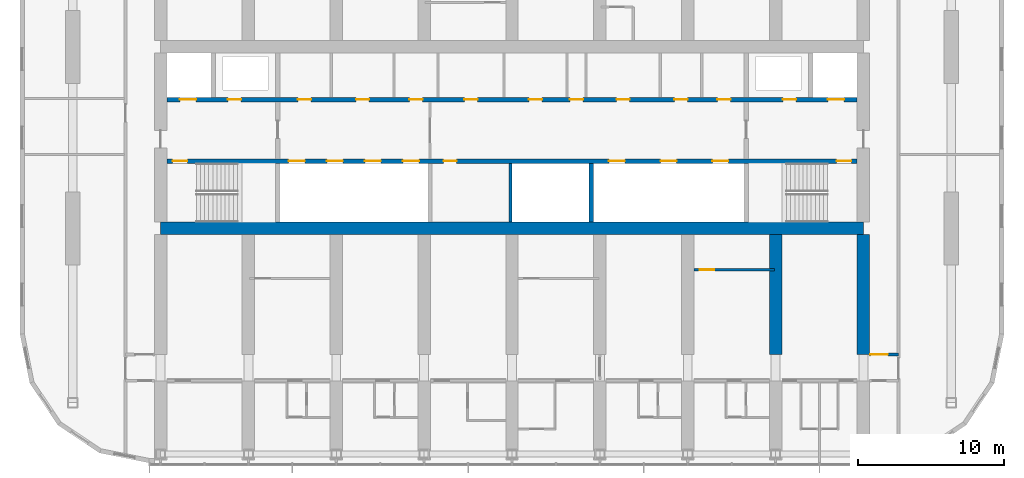
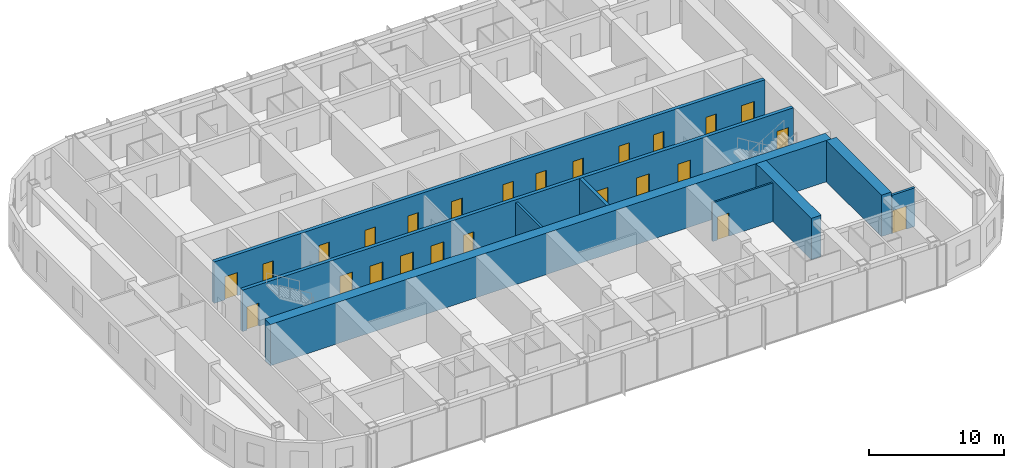
# One storey, part 13 of 22: 25 doors, 9 walls, 25 openings.
"""IFC4 building model written with IfcOpenShell, lengths in metres."""

from ifc_helpers import new_model, si_unit, direction, frame, frame_2d, origin, place, context, subcontext, project, spatial, rectangle, extrude, material, layer, layer_set, type_object, element, fill, save


model = new_model("IFC4")

# Units and contexts
model_context = context("Model", 3, precision=1e-05, world=origin(), true_north=direction((0.0, 1.0)))
body_context = subcontext(model_context, "Body", "Model", "MODEL_VIEW")
ifc_project = project(units=[si_unit("LENGTHUNIT", "METRE"), si_unit("AREAUNIT", "SQUARE_METRE"), si_unit("VOLUMEUNIT", "CUBIC_METRE"), si_unit("PLANEANGLEUNIT", "RADIAN"), si_unit("MASSUNIT", "GRAM", prefix="KILO")], contexts=[model_context])

# Site, building, storey
site_placement = place(None, origin())
site = spatial("IfcSite", under=ifc_project, at=site_placement, CompositionType="ELEMENT")
building_placement = place(site_placement, origin())
building = spatial("IfcBuilding", under=site, at=building_placement, Name="Orbita Commons", CompositionType="ELEMENT")
storey_placement = place(building_placement, frame((0.0, 0.0, 186.10009765625)))
storey = spatial("IfcBuildingStorey", under=building, at=storey_placement, Name="L46", CompositionType="ELEMENT", Elevation=186.10009765625)

# Wall, openings, doors
ifc_material_1 = material(Name="Concrete C50/60", Category="concrete")
ifc_layer_1 = layer(ifc_material_1, 0.300048828125)
ifc_layer_set_1 = layer_set([ifc_layer_1], Name="Concrete C50/60")
wall_type_1 = type_object("IfcWallType", Name="Core inner wall 300 C50/60", PredefinedType="SHEAR", material=ifc_layer_set_1)
wall_1_placement = place(storey_placement, frame((18.425048828125, 30.39990234375, 0.0), z_axis=(0.0, 0.0, 1.0), x_axis=(1.0, 0.0, 0.0)))
wall_1 = element("IfcWall", 1, at=wall_1_placement, inside=storey, type_object=wall_type_1, Name="Lobby wall south L46", PredefinedType="SHEAR", context=body_context, shape_type="SweptSolid", body=[
    extrude(rectangle(XDim=47.14990234375, YDim=0.300048828125, at=frame_2d((23.574951171875, 0.0))), origin(), (0.0, 0.0, 1.0), 3.75),
])
opening_1_placement = place(wall_1_placement, frame((0.39990234375, 0.0, 0.0)))
opening_1 = element("IfcOpeningElement", 2, at=opening_1_placement, cuts=wall_1, Name="Opening D02", PredefinedType="OPENING", context=body_context, shape_type="SweptSolid", body=[
    extrude(rectangle(XDim=1.0, YDim=2.10009765625, at=frame_2d((0.5, 1.050048828125))), frame((0.0, 0.159912109375, 0.0), z_axis=(0.0, -1.0, 0.0), x_axis=(1.0, 0.0, 0.0)), (0.0, 0.0, 1.0), 0.320068359375),
])
opening_2_placement = place(wall_1_placement, frame((45.75, 0.0, 0.0)))
opening_2 = element("IfcOpeningElement", 3, at=opening_2_placement, cuts=wall_1, Name="Opening D02", PredefinedType="OPENING", context=body_context, shape_type="SweptSolid", body=[
    extrude(rectangle(XDim=1.0, YDim=2.10009765625, at=frame_2d((0.5, 1.050048828125))), frame((0.0, 0.159912109375, 0.0), z_axis=(0.0, -1.0, 0.0), x_axis=(1.0, 0.0, 0.0)), (0.0, 0.0, 1.0), 0.320068359375),
])
opening_3_placement = place(wall_1_placement, frame((8.324951171875, 0.0, 0.0)))
opening_3 = element("IfcOpeningElement", 4, at=opening_3_placement, cuts=wall_1, Name="Opening LD02", PredefinedType="OPENING", context=body_context, shape_type="SweptSolid", body=[
    extrude(rectangle(XDim=1.10009765625, YDim=2.10009765625, at=frame_2d((0.550048828125, 1.050048828125))), frame((0.0, 0.159912109375, 0.0), z_axis=(0.0, -1.0, 0.0), x_axis=(1.0, 0.0, 0.0)), (0.0, 0.0, 1.0), 0.320068359375),
])
opening_4_placement = place(wall_1_placement, frame((10.925048828125, 0.0, 0.0)))
opening_4 = element("IfcOpeningElement", 5, at=opening_4_placement, cuts=wall_1, Name="Opening LD02", PredefinedType="OPENING", context=body_context, shape_type="SweptSolid", body=[
    extrude(rectangle(XDim=1.10009765625, YDim=2.10009765625, at=frame_2d((0.550048828125, 1.050048828125))), frame((0.0, 0.159912109375, 0.0), z_axis=(0.0, -1.0, 0.0), x_axis=(1.0, 0.0, 0.0)), (0.0, 0.0, 1.0), 0.320068359375),
])
opening_5_placement = place(wall_1_placement, frame((13.52490234375, 0.0, 0.0)))
opening_5 = element("IfcOpeningElement", 6, at=opening_5_placement, cuts=wall_1, Name="Opening LD02", PredefinedType="OPENING", context=body_context, shape_type="SweptSolid", body=[
    extrude(rectangle(XDim=1.10009765625, YDim=2.10009765625, at=frame_2d((0.550048828125, 1.050048828125))), frame((0.0, 0.159912109375, 0.0), z_axis=(0.0, -1.0, 0.0), x_axis=(1.0, 0.0, 0.0)), (0.0, 0.0, 1.0), 0.320068359375),
])
opening_6_placement = place(wall_1_placement, frame((16.125, 0.0, 0.0)))
opening_6 = element("IfcOpeningElement", 7, at=opening_6_placement, cuts=wall_1, Name="Opening LD02", PredefinedType="OPENING", context=body_context, shape_type="SweptSolid", body=[
    extrude(rectangle(XDim=1.10009765625, YDim=2.10009765625, at=frame_2d((0.550048828125, 1.050048828125))), frame((0.0, 0.159912109375, 0.0), z_axis=(0.0, -1.0, 0.0), x_axis=(1.0, 0.0, 0.0)), (0.0, 0.0, 1.0), 0.320068359375),
])
opening_7_placement = place(wall_1_placement, frame((18.89990234375, 0.0, 0.0)))
opening_7 = element("IfcOpeningElement", 8, at=opening_7_placement, cuts=wall_1, Name="Opening D05", PredefinedType="OPENING", context=body_context, shape_type="SweptSolid", body=[
    extrude(rectangle(XDim=0.89990234375, YDim=2.10009765625, at=frame_2d((0.449951171875, 1.050048828125))), frame((0.0, 0.159912109375, 0.0), z_axis=(0.0, -1.0, 0.0), x_axis=(1.0, 0.0, 0.0)), (0.0, 0.0, 1.0), 0.320068359375),
])
opening_8_placement = place(wall_1_placement, frame((30.191650390625, 0.0, 0.0)))
opening_8 = element("IfcOpeningElement", 9, at=opening_8_placement, cuts=wall_1, Name="Opening LD02", PredefinedType="OPENING", context=body_context, shape_type="SweptSolid", body=[
    extrude(rectangle(XDim=1.10009765625, YDim=2.10009765625, at=frame_2d((0.550048828125, 1.050048828125))), frame((0.0, 0.159912109375, 0.0), z_axis=(0.0, -1.0, 0.0), x_axis=(1.0, 0.0, 0.0)), (0.0, 0.0, 1.0), 0.320068359375),
])
opening_9_placement = place(wall_1_placement, frame((33.72509765625, 0.0, 0.0)))
opening_9 = element("IfcOpeningElement", 10, at=opening_9_placement, cuts=wall_1, Name="Opening LD02", PredefinedType="OPENING", context=body_context, shape_type="SweptSolid", body=[
    extrude(rectangle(XDim=1.10009765625, YDim=2.10009765625, at=frame_2d((0.550048828125, 1.050048828125))), frame((0.0, 0.159912109375, 0.0), z_axis=(0.0, -1.0, 0.0), x_axis=(1.0, 0.0, 0.0)), (0.0, 0.0, 1.0), 0.320068359375),
])
opening_10_placement = place(wall_1_placement, frame((37.25830078125, 0.0, 0.0)))
opening_10 = element("IfcOpeningElement", 11, at=opening_10_placement, cuts=wall_1, Name="Opening LD02", PredefinedType="OPENING", context=body_context, shape_type="SweptSolid", body=[
    extrude(rectangle(XDim=1.10009765625, YDim=2.10009765625, at=frame_2d((0.550048828125, 1.050048828125))), frame((0.0, 0.159912109375, 0.0), z_axis=(0.0, -1.0, 0.0), x_axis=(1.0, 0.0, 0.0)), (0.0, 0.0, 1.0), 0.320068359375),
])
ifc_material_2 = material(Name="Steel-faced fire door leaf", Category="steel")
door_type_1 = type_object("IfcDoorType", Name="Fire door 90 min 1000x2100", OperationType="SINGLE_SWING_LEFT", PredefinedType="DOOR", material=ifc_material_2)
door_1_placement = place(opening_1_placement, origin())
door_1 = element("IfcDoor", 12, at=door_1_placement, inside=storey, type_object=door_type_1, Name="Stair S1 door", OperationType="SINGLE_SWING_LEFT", OverallHeight=2.10009765625, OverallWidth=1.0, PredefinedType="DOOR", context=body_context, shape_type="SweptSolid", body=[
    extrude(rectangle(XDim=1.0, YDim=2.10009765625, at=frame_2d((0.5, 1.050048828125))), frame((0.0, 0.02490234375, 0.0), z_axis=(0.0, -1.0, 0.0), x_axis=(1.0, 0.0, 0.0)), (0.0, 0.0, 1.0), 0.050048828125),
])
fill(opening_1, door_1)
door_2_placement = place(opening_2_placement, origin())
door_2 = element("IfcDoor", 13, at=door_2_placement, inside=storey, type_object=door_type_1, Name="Stair S2 door", OperationType="SINGLE_SWING_LEFT", OverallHeight=2.10009765625, OverallWidth=1.0, PredefinedType="DOOR", context=body_context, shape_type="SweptSolid", body=[
    extrude(rectangle(XDim=1.0, YDim=2.10009765625, at=frame_2d((0.5, 1.050048828125))), frame((0.0, 0.02490234375, 0.0), z_axis=(0.0, -1.0, 0.0), x_axis=(1.0, 0.0, 0.0)), (0.0, 0.0, 1.0), 0.050048828125),
])
fill(opening_2, door_2)
ifc_material_3 = material(Name="Steel-faced fire door leaf", Category="steel")
door_type_2 = type_object("IfcDoorType", Name="Lift landing door 1100x2100", OperationType="DOUBLE_DOOR_SLIDING", PredefinedType="DOOR", material=ifc_material_3)
door_3_placement = place(opening_3_placement, origin())
door_3 = element("IfcDoor", 14, at=door_3_placement, inside=storey, type_object=door_type_2, Name="Lift P31 landing door", OperationType="DOUBLE_DOOR_SLIDING", OverallHeight=2.10009765625, OverallWidth=1.10009765625, PredefinedType="DOOR", context=body_context, shape_type="SweptSolid", body=[
    extrude(rectangle(XDim=1.10009765625, YDim=2.10009765625, at=frame_2d((0.550048828125, 1.050048828125))), frame((0.0, 0.02490234375, 0.0), z_axis=(0.0, -1.0, 0.0), x_axis=(1.0, 0.0, 0.0)), (0.0, 0.0, 1.0), 0.050048828125),
])
fill(opening_3, door_3)
door_4_placement = place(opening_4_placement, origin())
door_4 = element("IfcDoor", 15, at=door_4_placement, inside=storey, type_object=door_type_2, Name="Lift P32 landing door", OperationType="DOUBLE_DOOR_SLIDING", OverallHeight=2.10009765625, OverallWidth=1.10009765625, PredefinedType="DOOR", context=body_context, shape_type="SweptSolid", body=[
    extrude(rectangle(XDim=1.10009765625, YDim=2.10009765625, at=frame_2d((0.550048828125, 1.050048828125))), frame((0.0, 0.02490234375, 0.0), z_axis=(0.0, -1.0, 0.0), x_axis=(1.0, 0.0, 0.0)), (0.0, 0.0, 1.0), 0.050048828125),
])
fill(opening_4, door_4)
door_5_placement = place(opening_5_placement, origin())
door_5 = element("IfcDoor", 16, at=door_5_placement, inside=storey, type_object=door_type_2, Name="Lift P33 landing door", OperationType="DOUBLE_DOOR_SLIDING", OverallHeight=2.10009765625, OverallWidth=1.10009765625, PredefinedType="DOOR", context=body_context, shape_type="SweptSolid", body=[
    extrude(rectangle(XDim=1.10009765625, YDim=2.10009765625, at=frame_2d((0.550048828125, 1.050048828125))), frame((0.0, 0.02490234375, 0.0), z_axis=(0.0, -1.0, 0.0), x_axis=(1.0, 0.0, 0.0)), (0.0, 0.0, 1.0), 0.050048828125),
])
fill(opening_5, door_5)
door_6_placement = place(opening_6_placement, origin())
door_6 = element("IfcDoor", 17, at=door_6_placement, inside=storey, type_object=door_type_2, Name="Lift P34 landing door", OperationType="DOUBLE_DOOR_SLIDING", OverallHeight=2.10009765625, OverallWidth=1.10009765625, PredefinedType="DOOR", context=body_context, shape_type="SweptSolid", body=[
    extrude(rectangle(XDim=1.10009765625, YDim=2.10009765625, at=frame_2d((0.550048828125, 1.050048828125))), frame((0.0, 0.02490234375, 0.0), z_axis=(0.0, -1.0, 0.0), x_axis=(1.0, 0.0, 0.0)), (0.0, 0.0, 1.0), 0.050048828125),
])
fill(opening_6, door_6)
door_7_placement = place(opening_8_placement, origin())
door_7 = element("IfcDoor", 18, at=door_7_placement, inside=storey, type_object=door_type_2, Name="Lift SV1 landing door", OperationType="DOUBLE_DOOR_SLIDING", OverallHeight=2.10009765625, OverallWidth=1.10009765625, PredefinedType="DOOR", context=body_context, shape_type="SweptSolid", body=[
    extrude(rectangle(XDim=1.10009765625, YDim=2.10009765625, at=frame_2d((0.550048828125, 1.050048828125))), frame((0.0, 0.02490234375, 0.0), z_axis=(0.0, -1.0, 0.0), x_axis=(1.0, 0.0, 0.0)), (0.0, 0.0, 1.0), 0.050048828125),
])
fill(opening_8, door_7)
door_8_placement = place(opening_9_placement, origin())
door_8 = element("IfcDoor", 19, at=door_8_placement, inside=storey, type_object=door_type_2, Name="Lift SV2 landing door", OperationType="DOUBLE_DOOR_SLIDING", OverallHeight=2.10009765625, OverallWidth=1.10009765625, PredefinedType="DOOR", context=body_context, shape_type="SweptSolid", body=[
    extrude(rectangle(XDim=1.10009765625, YDim=2.10009765625, at=frame_2d((0.550048828125, 1.050048828125))), frame((0.0, 0.02490234375, 0.0), z_axis=(0.0, -1.0, 0.0), x_axis=(1.0, 0.0, 0.0)), (0.0, 0.0, 1.0), 0.050048828125),
])
fill(opening_9, door_8)
door_9_placement = place(opening_10_placement, origin())
door_9 = element("IfcDoor", 20, at=door_9_placement, inside=storey, type_object=door_type_2, Name="Lift SV3 landing door", OperationType="DOUBLE_DOOR_SLIDING", OverallHeight=2.10009765625, OverallWidth=1.10009765625, PredefinedType="DOOR", context=body_context, shape_type="SweptSolid", body=[
    extrude(rectangle(XDim=1.10009765625, YDim=2.10009765625, at=frame_2d((0.550048828125, 1.050048828125))), frame((0.0, 0.02490234375, 0.0), z_axis=(0.0, -1.0, 0.0), x_axis=(1.0, 0.0, 0.0)), (0.0, 0.0, 1.0), 0.050048828125),
])
fill(opening_10, door_9)
ifc_material_4 = material(Name="Steel-faced fire door leaf", Category="steel")
door_type_3 = type_object("IfcDoorType", Name="Service door 20 min 900x2100", OperationType="SINGLE_SWING_LEFT", PredefinedType="DOOR", material=ifc_material_4)
door_10_placement = place(opening_7_placement, origin())
door_10 = element("IfcDoor", 21, at=door_10_placement, inside=storey, type_object=door_type_3, Name="Residents' store door", OperationType="SINGLE_SWING_LEFT", OverallHeight=2.10009765625, OverallWidth=0.89990234375, PredefinedType="DOOR", context=body_context, shape_type="SweptSolid", body=[
    extrude(rectangle(XDim=0.89990234375, YDim=2.10009765625, at=frame_2d((0.449951171875, 1.050048828125))), frame((0.0, 0.02490234375, 0.0), z_axis=(0.0, -1.0, 0.0), x_axis=(1.0, 0.0, 0.0)), (0.0, 0.0, 1.0), 0.050048828125),
])
fill(opening_7, door_10)

wall_2_placement = place(storey_placement, frame((18.425048828125, 34.60009765625, 0.0), z_axis=(0.0, 0.0, 1.0), x_axis=(1.0, 0.0, 0.0)))
wall_2 = element("IfcWall", 22, at=wall_2_placement, inside=storey, type_object=wall_type_1, Name="Lobby wall north L46", PredefinedType="SHEAR", context=body_context, shape_type="SweptSolid", body=[
    extrude(rectangle(XDim=47.14990234375, YDim=0.300048828125, at=frame_2d((23.574951171875, 0.0))), origin(), (0.0, 0.0, 1.0), 3.75),
])
opening_11_placement = place(wall_2_placement, frame((0.89990234375, 0.0, 0.0)))
opening_11 = element("IfcOpeningElement", 23, at=opening_11_placement, cuts=wall_2, Name="Opening LD01", PredefinedType="OPENING", context=body_context, shape_type="SweptSolid", body=[
    extrude(rectangle(XDim=1.10009765625, YDim=2.10009765625, at=frame_2d((0.550048828125, 1.050048828125))), frame((0.0, 0.159912109375, 0.0), z_axis=(0.0, -1.0, 0.0), x_axis=(1.0, 0.0, 0.0)), (0.0, 0.0, 1.0), 0.320068359375),
])
opening_12_placement = place(wall_2_placement, frame((45.14990234375, 0.0, 0.0)))
opening_12 = element("IfcOpeningElement", 24, at=opening_12_placement, cuts=wall_2, Name="Opening LD01", PredefinedType="OPENING", context=body_context, shape_type="SweptSolid", body=[
    extrude(rectangle(XDim=1.10009765625, YDim=2.10009765625, at=frame_2d((0.550048828125, 1.050048828125))), frame((0.0, 0.159912109375, 0.0), z_axis=(0.0, -1.0, 0.0), x_axis=(1.0, 0.0, 0.0)), (0.0, 0.0, 1.0), 0.320068359375),
])
opening_13_placement = place(wall_2_placement, frame((4.175048828125, 0.0, 0.0)))
opening_13 = element("IfcOpeningElement", 25, at=opening_13_placement, cuts=wall_2, Name="Opening D03", PredefinedType="OPENING", context=body_context, shape_type="SweptSolid", body=[
    extrude(rectangle(XDim=0.89990234375, YDim=2.10009765625, at=frame_2d((0.449951171875, 1.050048828125))), frame((0.0, 0.159912109375, 0.0), z_axis=(0.0, -1.0, 0.0), x_axis=(1.0, 0.0, 0.0)), (0.0, 0.0, 1.0), 0.320068359375),
])
opening_14_placement = place(wall_2_placement, frame((42.074951171875, 0.0, 0.0)))
opening_14 = element("IfcOpeningElement", 26, at=opening_14_placement, cuts=wall_2, Name="Opening D03", PredefinedType="OPENING", context=body_context, shape_type="SweptSolid", body=[
    extrude(rectangle(XDim=0.89990234375, YDim=2.10009765625, at=frame_2d((0.449951171875, 1.050048828125))), frame((0.0, 0.159912109375, 0.0), z_axis=(0.0, -1.0, 0.0), x_axis=(1.0, 0.0, 0.0)), (0.0, 0.0, 1.0), 0.320068359375),
])
opening_15_placement = place(wall_2_placement, frame((8.950439453125, 0.0, 0.0)))
opening_15 = element("IfcOpeningElement", 27, at=opening_15_placement, cuts=wall_2, Name="Opening D05", PredefinedType="OPENING", context=body_context, shape_type="SweptSolid", body=[
    extrude(rectangle(XDim=0.89990234375, YDim=2.10009765625, at=frame_2d((0.449951171875, 1.050048828125))), frame((0.0, 0.159912109375, 0.0), z_axis=(0.0, -1.0, 0.0), x_axis=(1.0, 0.0, 0.0)), (0.0, 0.0, 1.0), 0.320068359375),
])
opening_16_placement = place(wall_2_placement, frame((12.923583984375, 0.0, 0.0)))
opening_16 = element("IfcOpeningElement", 28, at=opening_16_placement, cuts=wall_2, Name="Opening D03", PredefinedType="OPENING", context=body_context, shape_type="SweptSolid", body=[
    extrude(rectangle(XDim=0.89990234375, YDim=2.10009765625, at=frame_2d((0.449951171875, 1.050048828125))), frame((0.0, 0.159912109375, 0.0), z_axis=(0.0, -1.0, 0.0), x_axis=(1.0, 0.0, 0.0)), (0.0, 0.0, 1.0), 0.320068359375),
])
opening_17_placement = place(wall_2_placement, frame((16.5712890625, 0.0, 0.0)))
opening_17 = element("IfcOpeningElement", 29, at=opening_17_placement, cuts=wall_2, Name="Opening D03", PredefinedType="OPENING", context=body_context, shape_type="SweptSolid", body=[
    extrude(rectangle(XDim=0.89990234375, YDim=2.10009765625, at=frame_2d((0.449951171875, 1.050048828125))), frame((0.0, 0.159912109375, 0.0), z_axis=(0.0, -1.0, 0.0), x_axis=(1.0, 0.0, 0.0)), (0.0, 0.0, 1.0), 0.320068359375),
])
opening_18_placement = place(wall_2_placement, frame((20.32958984375, 0.0, 0.0)))
opening_18 = element("IfcOpeningElement", 30, at=opening_18_placement, cuts=wall_2, Name="Opening D03", PredefinedType="OPENING", context=body_context, shape_type="SweptSolid", body=[
    extrude(rectangle(XDim=0.89990234375, YDim=2.10009765625, at=frame_2d((0.449951171875, 1.050048828125))), frame((0.0, 0.159912109375, 0.0), z_axis=(0.0, -1.0, 0.0), x_axis=(1.0, 0.0, 0.0)), (0.0, 0.0, 1.0), 0.320068359375),
])
opening_19_placement = place(wall_2_placement, frame((24.735595703125, 0.0, 0.0)))
opening_19 = element("IfcOpeningElement", 31, at=opening_19_placement, cuts=wall_2, Name="Opening D03", PredefinedType="OPENING", context=body_context, shape_type="SweptSolid", body=[
    extrude(rectangle(XDim=0.89990234375, YDim=2.10009765625, at=frame_2d((0.449951171875, 1.050048828125))), frame((0.0, 0.159912109375, 0.0), z_axis=(0.0, -1.0, 0.0), x_axis=(1.0, 0.0, 0.0)), (0.0, 0.0, 1.0), 0.320068359375),
])
opening_20_placement = place(wall_2_placement, frame((27.533447265625, 0.0, 0.0)))
opening_20 = element("IfcOpeningElement", 32, at=opening_20_placement, cuts=wall_2, Name="Opening D03", PredefinedType="OPENING", context=body_context, shape_type="SweptSolid", body=[
    extrude(rectangle(XDim=0.89990234375, YDim=2.10009765625, at=frame_2d((0.449951171875, 1.050048828125))), frame((0.0, 0.159912109375, 0.0), z_axis=(0.0, -1.0, 0.0), x_axis=(1.0, 0.0, 0.0)), (0.0, 0.0, 1.0), 0.320068359375),
])
opening_21_placement = place(wall_2_placement, frame((30.71630859375, 0.0, 0.0)))
opening_21 = element("IfcOpeningElement", 33, at=opening_21_placement, cuts=wall_2, Name="Opening D05", PredefinedType="OPENING", context=body_context, shape_type="SweptSolid", body=[
    extrude(rectangle(XDim=0.89990234375, YDim=2.10009765625, at=frame_2d((0.449951171875, 1.050048828125))), frame((0.0, 0.159912109375, 0.0), z_axis=(0.0, -1.0, 0.0), x_axis=(1.0, 0.0, 0.0)), (0.0, 0.0, 1.0), 0.320068359375),
])
opening_22_placement = place(wall_2_placement, frame((34.667236328125, 0.0, 0.0)))
opening_22 = element("IfcOpeningElement", 34, at=opening_22_placement, cuts=wall_2, Name="Opening D03", PredefinedType="OPENING", context=body_context, shape_type="SweptSolid", body=[
    extrude(rectangle(XDim=0.89990234375, YDim=2.10009765625, at=frame_2d((0.449951171875, 1.050048828125))), frame((0.0, 0.159912109375, 0.0), z_axis=(0.0, -1.0, 0.0), x_axis=(1.0, 0.0, 0.0)), (0.0, 0.0, 1.0), 0.320068359375),
])
opening_23_placement = place(wall_2_placement, frame((37.605224609375, 0.0, 0.0)))
opening_23 = element("IfcOpeningElement", 35, at=opening_23_placement, cuts=wall_2, Name="Opening D03", PredefinedType="OPENING", context=body_context, shape_type="SweptSolid", body=[
    extrude(rectangle(XDim=0.89990234375, YDim=2.10009765625, at=frame_2d((0.449951171875, 1.050048828125))), frame((0.0, 0.159912109375, 0.0), z_axis=(0.0, -1.0, 0.0), x_axis=(1.0, 0.0, 0.0)), (0.0, 0.0, 1.0), 0.320068359375),
])
ifc_material_5 = material(Name="Steel-faced fire door leaf", Category="steel")
door_type_4 = type_object("IfcDoorType", Name="Firefighting lift landing door 1100x2100", OperationType="DOUBLE_DOOR_SLIDING", PredefinedType="DOOR", material=ifc_material_5)
door_11_placement = place(opening_11_placement, origin())
door_11 = element("IfcDoor", 36, at=door_11_placement, inside=storey, type_object=door_type_4, Name="Firefighting lift FL1 landing door", OperationType="DOUBLE_DOOR_SLIDING", OverallHeight=2.10009765625, OverallWidth=1.10009765625, PredefinedType="DOOR", context=body_context, shape_type="SweptSolid", body=[
    extrude(rectangle(XDim=1.10009765625, YDim=2.10009765625, at=frame_2d((0.550048828125, 1.050048828125))), frame((0.0, 0.02490234375, 0.0), z_axis=(0.0, -1.0, 0.0), x_axis=(1.0, 0.0, 0.0)), (0.0, 0.0, 1.0), 0.050048828125),
])
fill(opening_11, door_11)
door_12_placement = place(opening_12_placement, origin())
door_12 = element("IfcDoor", 37, at=door_12_placement, inside=storey, type_object=door_type_4, Name="Firefighting lift FL2 landing door", OperationType="DOUBLE_DOOR_SLIDING", OverallHeight=2.10009765625, OverallWidth=1.10009765625, PredefinedType="DOOR", context=body_context, shape_type="SweptSolid", body=[
    extrude(rectangle(XDim=1.10009765625, YDim=2.10009765625, at=frame_2d((0.550048828125, 1.050048828125))), frame((0.0, 0.02490234375, 0.0), z_axis=(0.0, -1.0, 0.0), x_axis=(1.0, 0.0, 0.0)), (0.0, 0.0, 1.0), 0.050048828125),
])
fill(opening_12, door_12)
door_13_placement = place(opening_15_placement, origin())
door_13 = element("IfcDoor", 38, at=door_13_placement, inside=storey, type_object=door_type_3, Name="Accessible WC door", OperationType="SINGLE_SWING_LEFT", OverallHeight=2.10009765625, OverallWidth=0.89990234375, PredefinedType="DOOR", context=body_context, shape_type="SweptSolid", body=[
    extrude(rectangle(XDim=0.89990234375, YDim=2.10009765625, at=frame_2d((0.449951171875, 1.050048828125))), frame((0.0, 0.02490234375, 0.0), z_axis=(0.0, -1.0, 0.0), x_axis=(1.0, 0.0, 0.0)), (0.0, 0.0, 1.0), 0.050048828125),
])
fill(opening_15, door_13)
door_14_placement = place(opening_21_placement, origin())
door_14 = element("IfcDoor", 39, at=door_14_placement, inside=storey, type_object=door_type_3, Name="Guest pantry door", OperationType="SINGLE_SWING_LEFT", OverallHeight=2.10009765625, OverallWidth=0.89990234375, PredefinedType="DOOR", context=body_context, shape_type="SweptSolid", body=[
    extrude(rectangle(XDim=0.89990234375, YDim=2.10009765625, at=frame_2d((0.449951171875, 1.050048828125))), frame((0.0, 0.02490234375, 0.0), z_axis=(0.0, -1.0, 0.0), x_axis=(1.0, 0.0, 0.0)), (0.0, 0.0, 1.0), 0.050048828125),
])
fill(opening_21, door_14)
ifc_material_6 = material(Name="Steel-faced fire door leaf", Category="steel")
door_type_5 = type_object("IfcDoorType", Name="Shaft access door 90 min 900x2100", OperationType="SINGLE_SWING_LEFT", PredefinedType="DOOR", material=ifc_material_6)
door_15_placement = place(opening_13_placement, origin())
door_15 = element("IfcDoor", 40, at=door_15_placement, inside=storey, type_object=door_type_5, Name="Riser door west", OperationType="SINGLE_SWING_LEFT", OverallHeight=2.10009765625, OverallWidth=0.89990234375, PredefinedType="DOOR", context=body_context, shape_type="SweptSolid", body=[
    extrude(rectangle(XDim=0.89990234375, YDim=2.10009765625, at=frame_2d((0.449951171875, 1.050048828125))), frame((0.0, 0.02490234375, 0.0), z_axis=(0.0, -1.0, 0.0), x_axis=(1.0, 0.0, 0.0)), (0.0, 0.0, 1.0), 0.050048828125),
])
fill(opening_13, door_15)
door_16_placement = place(opening_14_placement, origin())
door_16 = element("IfcDoor", 41, at=door_16_placement, inside=storey, type_object=door_type_5, Name="Riser door east", OperationType="SINGLE_SWING_LEFT", OverallHeight=2.10009765625, OverallWidth=0.89990234375, PredefinedType="DOOR", context=body_context, shape_type="SweptSolid", body=[
    extrude(rectangle(XDim=0.89990234375, YDim=2.10009765625, at=frame_2d((0.449951171875, 1.050048828125))), frame((0.0, 0.02490234375, 0.0), z_axis=(0.0, -1.0, 0.0), x_axis=(1.0, 0.0, 0.0)), (0.0, 0.0, 1.0), 0.050048828125),
])
fill(opening_14, door_16)
door_17_placement = place(opening_16_placement, origin())
door_17 = element("IfcDoor", 42, at=door_17_placement, inside=storey, type_object=door_type_5, Name="Refuse chute room door", OperationType="SINGLE_SWING_LEFT", OverallHeight=2.10009765625, OverallWidth=0.89990234375, PredefinedType="DOOR", context=body_context, shape_type="SweptSolid", body=[
    extrude(rectangle(XDim=0.89990234375, YDim=2.10009765625, at=frame_2d((0.449951171875, 1.050048828125))), frame((0.0, 0.02490234375, 0.0), z_axis=(0.0, -1.0, 0.0), x_axis=(1.0, 0.0, 0.0)), (0.0, 0.0, 1.0), 0.050048828125),
])
fill(opening_16, door_17)
door_18_placement = place(opening_17_placement, origin())
door_18 = element("IfcDoor", 43, at=door_18_placement, inside=storey, type_object=door_type_5, Name="Electrical riser room door", OperationType="SINGLE_SWING_LEFT", OverallHeight=2.10009765625, OverallWidth=0.89990234375, PredefinedType="DOOR", context=body_context, shape_type="SweptSolid", body=[
    extrude(rectangle(XDim=0.89990234375, YDim=2.10009765625, at=frame_2d((0.449951171875, 1.050048828125))), frame((0.0, 0.02490234375, 0.0), z_axis=(0.0, -1.0, 0.0), x_axis=(1.0, 0.0, 0.0)), (0.0, 0.0, 1.0), 0.050048828125),
])
fill(opening_17, door_18)
door_19_placement = place(opening_18_placement, origin())
door_19 = element("IfcDoor", 44, at=door_19_placement, inside=storey, type_object=door_type_5, Name="IT room door", OperationType="SINGLE_SWING_LEFT", OverallHeight=2.10009765625, OverallWidth=0.89990234375, PredefinedType="DOOR", context=body_context, shape_type="SweptSolid", body=[
    extrude(rectangle(XDim=0.89990234375, YDim=2.10009765625, at=frame_2d((0.449951171875, 1.050048828125))), frame((0.0, 0.02490234375, 0.0), z_axis=(0.0, -1.0, 0.0), x_axis=(1.0, 0.0, 0.0)), (0.0, 0.0, 1.0), 0.050048828125),
])
fill(opening_18, door_19)
door_20_placement = place(opening_19_placement, origin())
door_20 = element("IfcDoor", 45, at=door_20_placement, inside=storey, type_object=door_type_5, Name="Communications room door", OperationType="SINGLE_SWING_LEFT", OverallHeight=2.10009765625, OverallWidth=0.89990234375, PredefinedType="DOOR", context=body_context, shape_type="SweptSolid", body=[
    extrude(rectangle(XDim=0.89990234375, YDim=2.10009765625, at=frame_2d((0.449951171875, 1.050048828125))), frame((0.0, 0.02490234375, 0.0), z_axis=(0.0, -1.0, 0.0), x_axis=(1.0, 0.0, 0.0)), (0.0, 0.0, 1.0), 0.050048828125),
])
fill(opening_19, door_20)
door_21_placement = place(opening_20_placement, origin())
door_21 = element("IfcDoor", 46, at=door_21_placement, inside=storey, type_object=door_type_5, Name="Stair pressurisation duct door", OperationType="SINGLE_SWING_LEFT", OverallHeight=2.10009765625, OverallWidth=0.89990234375, PredefinedType="DOOR", context=body_context, shape_type="SweptSolid", body=[
    extrude(rectangle(XDim=0.89990234375, YDim=2.10009765625, at=frame_2d((0.449951171875, 1.050048828125))), frame((0.0, 0.02490234375, 0.0), z_axis=(0.0, -1.0, 0.0), x_axis=(1.0, 0.0, 0.0)), (0.0, 0.0, 1.0), 0.050048828125),
])
fill(opening_20, door_21)
door_22_placement = place(opening_22_placement, origin())
door_22 = element("IfcDoor", 47, at=door_22_placement, inside=storey, type_object=door_type_5, Name="Linen store door", OperationType="SINGLE_SWING_LEFT", OverallHeight=2.10009765625, OverallWidth=0.89990234375, PredefinedType="DOOR", context=body_context, shape_type="SweptSolid", body=[
    extrude(rectangle(XDim=0.89990234375, YDim=2.10009765625, at=frame_2d((0.449951171875, 1.050048828125))), frame((0.0, 0.02490234375, 0.0), z_axis=(0.0, -1.0, 0.0), x_axis=(1.0, 0.0, 0.0)), (0.0, 0.0, 1.0), 0.050048828125),
])
fill(opening_22, door_22)
door_23_placement = place(opening_23_placement, origin())
door_23 = element("IfcDoor", 48, at=door_23_placement, inside=storey, type_object=door_type_5, Name="Cleaners store door", OperationType="SINGLE_SWING_LEFT", OverallHeight=2.10009765625, OverallWidth=0.89990234375, PredefinedType="DOOR", context=body_context, shape_type="SweptSolid", body=[
    extrude(rectangle(XDim=0.89990234375, YDim=2.10009765625, at=frame_2d((0.449951171875, 1.050048828125))), frame((0.0, 0.02490234375, 0.0), z_axis=(0.0, -1.0, 0.0), x_axis=(1.0, 0.0, 0.0)), (0.0, 0.0, 1.0), 0.050048828125),
])
fill(opening_23, door_23)

# Walls
wall_3_placement = place(storey_placement, frame((47.39990234375, 26.22509765625, 0.0), z_axis=(0.0, 0.0, 1.0), x_axis=(0.0, 1.0, 0.0)))
element("IfcWall", 49, at=wall_3_placement, inside=storey, type_object=wall_type_1, Name="Hoistway division wall L46", PredefinedType="SHEAR", context=body_context, shape_type="SweptSolid", body=[
    extrude(rectangle(XDim=4.02490234375, YDim=0.300048828125, at=frame_2d((2.012451171875, 0.0))), origin(), (0.0, 0.0, 1.0), 3.75),
])
ifc_material_7 = material(Name="Concrete C50/60", Category="concrete")
ifc_layer_2 = layer(ifc_material_7, 0.85009765625)
ifc_layer_set_2 = layer_set([ifc_layer_2], Name="Concrete C50/60")
wall_type_2 = type_object("IfcWallType", Name="Core wall 850 C50/60", PredefinedType="SHEAR", material=ifc_layer_set_2)
wall_4_placement = place(storey_placement, frame((18.0, 25.800048828125, 0.0), z_axis=(0.0, 0.0, 1.0), x_axis=(1.0, 0.0, 0.0)))
element("IfcWall", 50, at=wall_4_placement, inside=storey, type_object=wall_type_2, Name="Core spine wall south L46", PredefinedType="SHEAR", context=body_context, shape_type="SweptSolid", body=[
    extrude(rectangle(XDim=48.0, YDim=0.85009765625, at=frame_2d((24.0, 0.0))), origin(), (0.0, 0.0, 1.0), 3.75),
])

# Wall, opening, door
ifc_material_8 = material(Name="Hollow concrete block 200", Category="concrete")
ifc_layer_3 = layer(ifc_material_8, 0.199951171875)
ifc_layer_set_3 = layer_set([ifc_layer_3], Name="Hollow concrete block 200")
wall_type_3 = type_object("IfcWallType", Name="Corridor wall 200 hollow concrete block", PredefinedType="SOLIDWALL", material=ifc_layer_set_3)
wall_5_placement = place(storey_placement, frame((66.425048828125, 17.199951171875, 0.0), z_axis=(0.0, 0.0, 1.0), x_axis=(1.0, 0.0, 0.0)))
wall_5 = element("IfcWall", 51, at=wall_5_placement, inside=storey, type_object=wall_type_3, Name="Corridor wall 200 hollow concrete block L46", PredefinedType="SOLIDWALL", context=body_context, shape_type="SweptSolid", body=[
    extrude(rectangle(XDim=1.974853515625, YDim=0.199951171875, at=frame_2d((0.9873046875, 0.0))), origin(), (0.0, 0.0, 1.0), 3.5),
])
opening_24_placement = place(wall_5_placement, frame((0.050048828125, 0.0, 0.0)))
opening_24 = element("IfcOpeningElement", 52, at=opening_24_placement, cuts=wall_5, Name="Opening D12", PredefinedType="OPENING", context=body_context, shape_type="SweptSolid", body=[
    extrude(rectangle(XDim=1.199951171875, YDim=2.10009765625, at=frame_2d((0.60009765625, 1.050048828125))), frame((0.0, 0.10986328125, 0.0), z_axis=(0.0, -1.0, 0.0), x_axis=(1.0, 0.0, 0.0)), (0.0, 0.0, 1.0), 0.219970703125),
])
ifc_material_9 = material(Name="Steel-faced fire door leaf", Category="steel")
door_type_6 = type_object("IfcDoorType", Name="Double corridor door 20 min 1200x2100", OperationType="DOUBLE_DOOR_SINGLE_SWING", PredefinedType="DOOR", material=ifc_material_9)
door_24_placement = place(opening_24_placement, origin())
door_24 = element("IfcDoor", 53, at=door_24_placement, inside=storey, type_object=door_type_6, Name="Cross corridor doors", OperationType="DOUBLE_DOOR_SINGLE_SWING", OverallHeight=2.10009765625, OverallWidth=1.199951171875, PredefinedType="DOOR", context=body_context, shape_type="SweptSolid", body=[
    extrude(rectangle(XDim=1.199951171875, YDim=2.10009765625, at=frame_2d((0.60009765625, 1.050048828125))), frame((0.0, 0.02490234375, 0.0), z_axis=(0.0, -1.0, 0.0), x_axis=(1.0, 0.0, 0.0)), (0.0, 0.0, 1.0), 0.050048828125),
])
fill(opening_24, door_24)

# Walls
ifc_material_10 = material(Name="Concrete C50/60", Category="concrete")
ifc_layer_4 = layer(ifc_material_10, 0.85009765625)
ifc_layer_set_4 = layer_set([ifc_layer_4], Name="Concrete C50/60")
wall_type_4 = type_object("IfcWallType", Name="Cross wall 850 C50/60", PredefinedType="SHEAR", material=ifc_layer_set_4)
for number, where, z_axis, x_axis, name in (
    (54, (60.0, 17.199951171875, 0.0), (0.0, 0.0, 1.0), (0.0, 1.0, 0.0), "Cross wall 11 south inner L46"),
    (55, (66.0, 17.199951171875, 0.0), (0.0, 0.0, 1.0), (0.0, 1.0, 0.0), "Cross wall 12 south inner L46"),
):
    element("IfcWall", number, at=place(storey_placement, frame(where, z_axis=z_axis, x_axis=x_axis)), inside=storey, type_object=wall_type_4, Name=name, PredefinedType="SHEAR", context=body_context, shape_type="SweptSolid", body=[
        extrude(rectangle(XDim=8.175048828125, YDim=0.85009765625, at=frame_2d((4.08740234375, 0.0))), origin(), (0.0, 0.0, 1.0), 3.75),
    ])

# Wall, opening, door
ifc_material_11 = material(Name="Gypsum plasterboard on steel studs", Category="steel")
ifc_layer_5 = layer(ifc_material_11, 0.14990234375)
ifc_layer_set_5 = layer_set([ifc_layer_5], Name="Gypsum plasterboard on steel studs")
wall_type_5 = type_object("IfcWallType", Name="Partition 150 plasterboard", PredefinedType="PARTITIONING", material=ifc_layer_set_5)
wall_6_placement = place(storey_placement, frame((54.425048828125, 22.97509765625, 0.0), z_axis=(0.0, 0.0, 1.0), x_axis=(1.0, 0.0, 0.0)))
wall_6 = element("IfcWall", 56, at=wall_6_placement, inside=storey, type_object=wall_type_5, Name="Partition 150 plasterboard L46", PredefinedType="PARTITIONING", context=body_context, shape_type="SweptSolid", body=[
    extrude(rectangle(XDim=5.5, YDim=0.14990234375, at=frame_2d((2.75, 0.0))), origin(), (0.0, 0.0, 1.0), 3.5),
])
opening_25_placement = place(wall_6_placement, frame((0.39990234375, 0.0, 0.0)))
opening_25 = element("IfcOpeningElement", 57, at=opening_25_placement, cuts=wall_6, Name="Opening D18", PredefinedType="OPENING", context=body_context, shape_type="SweptSolid", body=[
    extrude(rectangle(XDim=1.0, YDim=2.10009765625, at=frame_2d((0.5, 1.050048828125))), frame((0.0, 0.0849609375, 0.0), z_axis=(0.0, -1.0, 0.0), x_axis=(1.0, 0.0, 0.0)), (0.0, 0.0, 1.0), 0.169921875),
])
ifc_material_12 = material(Name="Steel-faced fire door leaf", Category="steel")
door_type_7 = type_object("IfcDoorType", Name="Service door 20 min 1000x2100", OperationType="SINGLE_SWING_LEFT", PredefinedType="DOOR", material=ifc_material_12)
door_25_placement = place(opening_25_placement, origin())
door_25 = element("IfcDoor", 58, at=door_25_placement, inside=storey, type_object=door_type_7, Name="Cleaners store L46-BDS54 door", OperationType="SINGLE_SWING_LEFT", OverallHeight=2.10009765625, OverallWidth=1.0, PredefinedType="DOOR", context=body_context, shape_type="SweptSolid", body=[
    extrude(rectangle(XDim=1.0, YDim=2.10009765625, at=frame_2d((0.5, 1.050048828125))), frame((0.0, 0.02490234375, 0.0), z_axis=(0.0, -1.0, 0.0), x_axis=(1.0, 0.0, 0.0)), (0.0, 0.0, 1.0), 0.050048828125),
])
fill(opening_25, door_25)

# Wall
ifc_material_13 = material(Name="Concrete blockwork, fully filled", Category="masonry")
ifc_layer_6 = layer(ifc_material_13, 0.199951171875)
ifc_layer_set_6 = layer_set([ifc_layer_6], Name="Concrete blockwork, fully filled")
wall_type_6 = type_object("IfcWallType", Name="Shaft partition 200 blockwork", PredefinedType="SOLIDWALL", material=ifc_layer_set_6)
wall_7_placement = place(storey_placement, frame((41.89990234375, 26.22509765625, 0.0), z_axis=(0.0, 0.0, 1.0), x_axis=(0.0, 1.0, 0.0)))
element("IfcWall", 59, at=wall_7_placement, inside=storey, type_object=wall_type_6, Name="Shaft partition 200 blockwork L46", PredefinedType="SOLIDWALL", context=body_context, shape_type="SweptSolid", body=[
    extrude(rectangle(XDim=4.02490234375, YDim=0.199951171875, at=frame_2d((2.012451171875, 0.0))), origin(), (0.0, 0.0, 1.0), 3.5),
])

save(model, "model.ifc")
